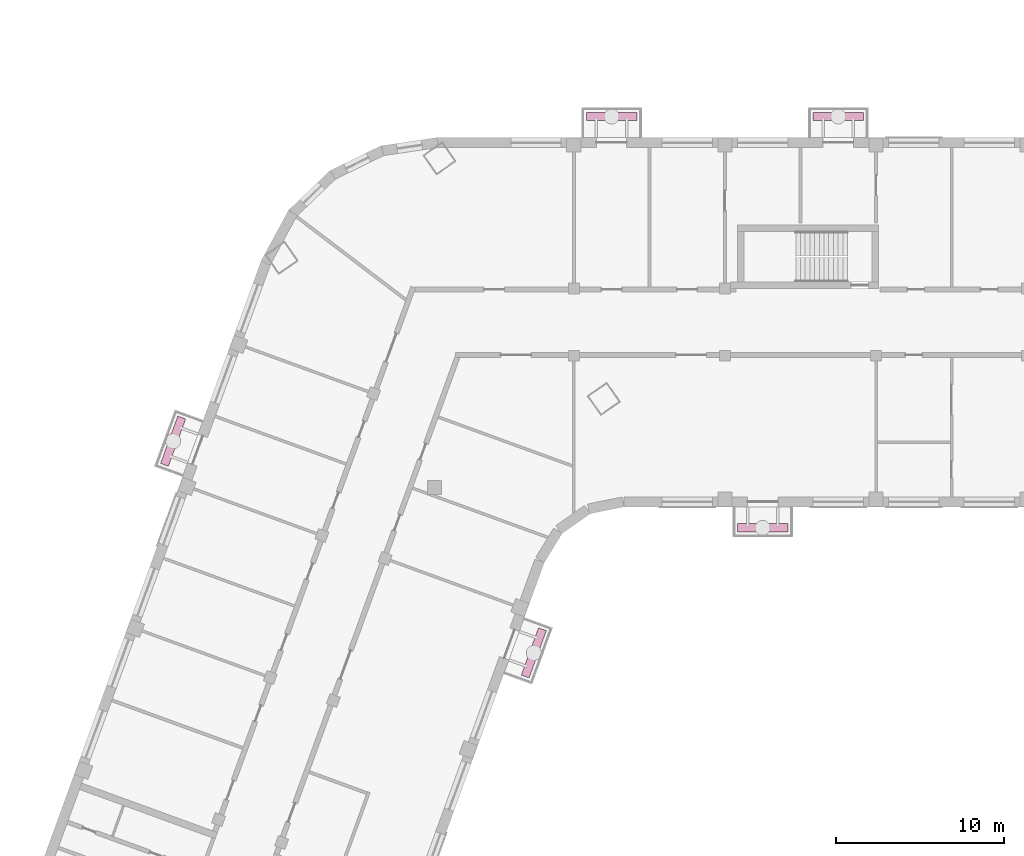
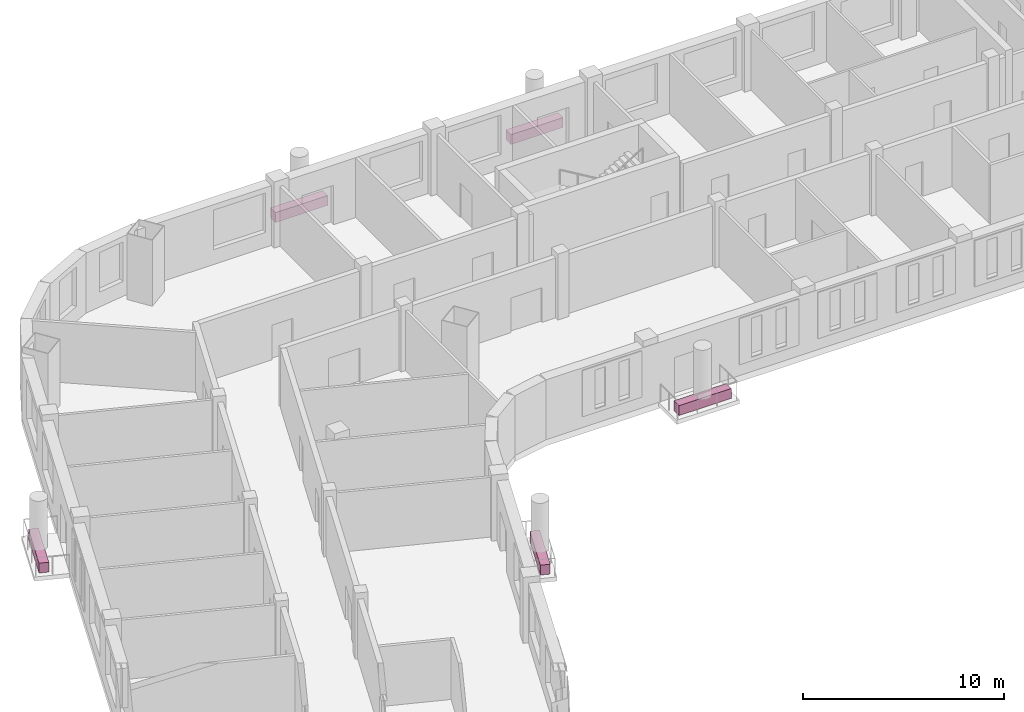
# One storey, part 15 of 16: 5 furniture elements.
"""IFC4 building model written with IfcOpenShell, lengths in metres."""

from ifc_helpers import new_model, si_unit, direction, frame, origin, origin_2d, place, context, subcontext, project, spatial, rectangle, extrude, element, save


model = new_model("IFC4")

# Units and contexts
model_context = context("Model", 3, precision=1e-05, world=origin(), true_north=direction((0.0, 1.0)))
body_context = subcontext(model_context, "Body", "Model", "MODEL_VIEW")
ifc_project = project(units=[si_unit("LENGTHUNIT", "METRE"), si_unit("AREAUNIT", "SQUARE_METRE"), si_unit("VOLUMEUNIT", "CUBIC_METRE"), si_unit("PLANEANGLEUNIT", "RADIAN"), si_unit("MASSUNIT", "GRAM", prefix="KILO")], contexts=[model_context])

# Site, building, storey
site_placement = place(None, origin())
site = spatial("IfcSite", under=ifc_project, at=site_placement, CompositionType="ELEMENT")
building_placement = place(site_placement, origin())
building = spatial("IfcBuilding", under=site, at=building_placement, Name="Skarvind Civic Tower", CompositionType="ELEMENT")
storey_placement = place(building_placement, frame((0.0, 0.0, 81.0)))
storey = spatial("IfcBuildingStorey", under=building, at=storey_placement, Name="L18", CompositionType="ELEMENT", Elevation=81.0)

# Furniture
for number, where, z_axis, x_axis, name in (
    (1, (51.867919921875, 108.305419921875, 0.0), (0.0, 0.0, 1.0), (-0.342020143326, -0.939692620786, 0.0), "TREE BALCONY PLANTER"),
    (2, (65.5, 115.75, 0.0), (0.0, 0.0, 1.0), (-1.0, 0.0, 0.0), "TREE BALCONY PLANTER"),
    (3, (56.5, 140.25, 0.0), (0.0, 0.0, 1.0), (1.0, 0.0, 0.0), "TREE BALCONY PLANTER"),
    (4, (70.0, 140.25, 0.0), (0.0, 0.0, 1.0), (1.0, 0.0, 0.0), "TREE BALCONY PLANTER"),
    (5, (30.384521484375, 120.91357421875, 0.0), (0.0, 0.0, 1.0), (0.342020143326, 0.939692620786, 0.0), "TREE BALCONY PLANTER"),
):
    element("IfcFurniture", number, at=place(storey_placement, frame(where, z_axis=z_axis, x_axis=x_axis)), inside=storey, Name=name, ObjectType="PLANTER", PredefinedType="USERDEFINED", context=body_context, shape_type="SweptSolid", body=[
        extrude(rectangle(XDim=3.0, YDim=0.5, at=origin_2d()), origin(), (0.0, 0.0, 1.0), 0.60009765625),
    ])

save(model, "model.ifc")
